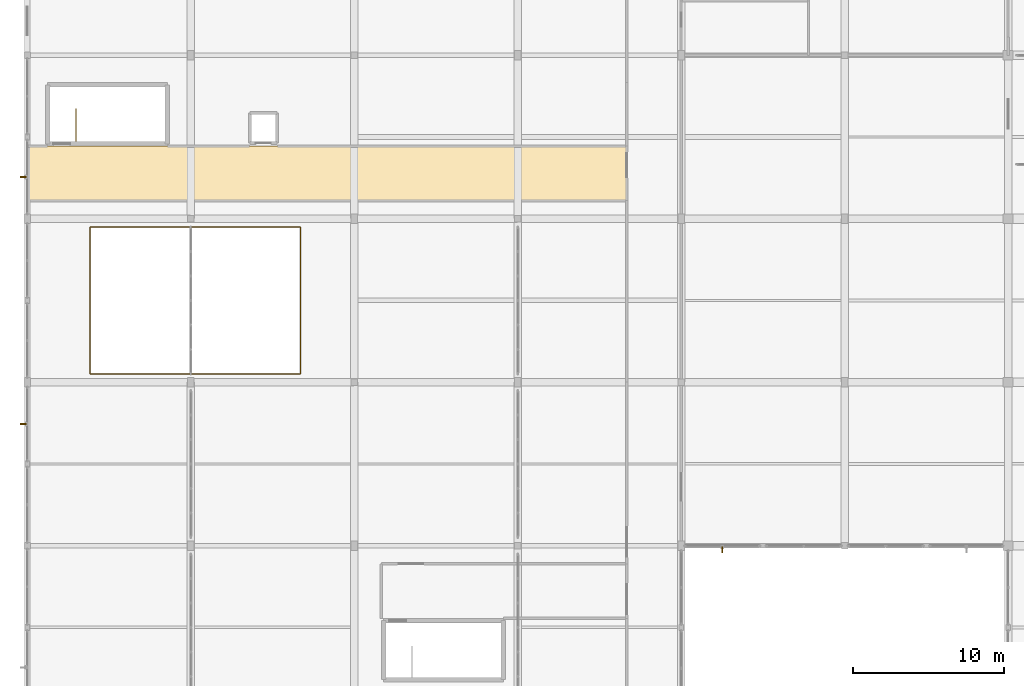
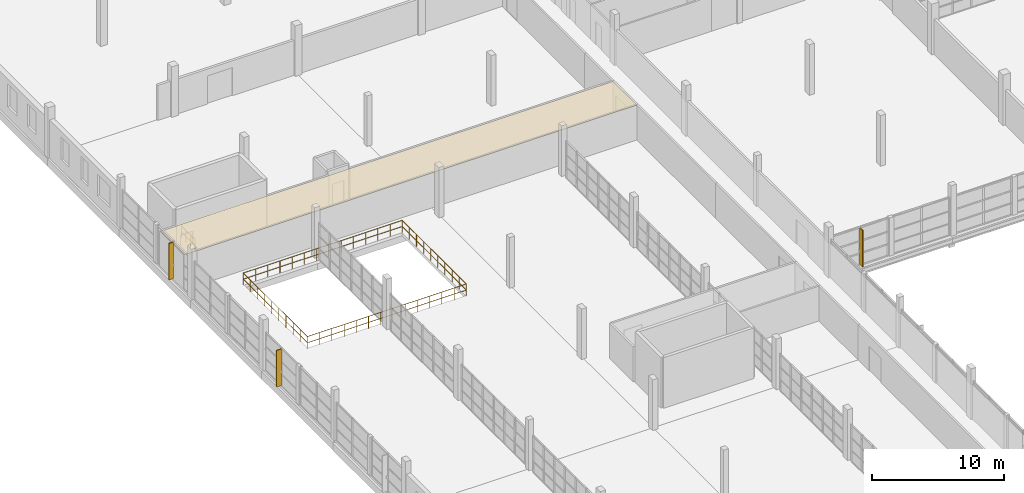
# One storey, part 132 of 142: 3 shading devices, 2 railings, 1 covering.
"""IFC4 building model written with IfcOpenShell, lengths in metres."""

from ifc_helpers import new_model, si_unit, direction, frame, origin, origin_2d, place, context, subcontext, project, spatial, polyline, rectangle, circle, outline, extrude, material, layer, layer_set, type_object, element, save


model = new_model("IFC4")

# Units and contexts
model_context = context("Model", 3, precision=1e-05, world=origin(), true_north=direction((0.0, 1.0)))
body_context = subcontext(model_context, "Body", "Model", "MODEL_VIEW")
ifc_project = project(units=[si_unit("LENGTHUNIT", "METRE"), si_unit("AREAUNIT", "SQUARE_METRE"), si_unit("VOLUMEUNIT", "CUBIC_METRE"), si_unit("PLANEANGLEUNIT", "RADIAN"), si_unit("MASSUNIT", "GRAM", prefix="KILO")], contexts=[model_context])

# Site, building, storey
site_placement = place(None, origin())
site = spatial("IfcSite", under=ifc_project, at=site_placement, CompositionType="ELEMENT")
building_placement = place(site_placement, origin())
building = spatial("IfcBuilding", under=site, at=building_placement, Name="Zwinboog Wholesale Market", CompositionType="ELEMENT")
storey_placement = place(building_placement, frame((0.0, 0.0, 5.39990234375)))
storey = spatial("IfcBuildingStorey", under=building, at=storey_placement, Name="L01", CompositionType="ELEMENT", Elevation=5.39990234375)

# Shading devices
ifc_material_1 = material(Name="Western red cedar timber", Category="wood")
shading_device_type = type_object("IfcShadingDeviceType", Name="SHD-FIN-CEDAR", PredefinedType="USERDEFINED", material=ifc_material_1)
for number, where, z_axis, x_axis, name in (
    (1, (-0.2548828125, 72.840087890625, 0.080078125), (0.0, 0.0, 1.0), (1.0, 0.0, 0.0), "FN-01 (SHD-FIN-019)"),
    (2, (-0.27001953125, 89.159912109375, 0.080078125), (0.0, 0.0, 1.0), (1.0, 0.0, 0.0), "FN-01 (SHD-FIN-020)"),
    (3, (45.909912109375, 64.530029296875, 0.080078125), (0.0, 0.0, 1.0), (0.0, 1.0, 0.0), "FN-01 (SHD-FIN-026)"),
):
    element("IfcShadingDevice", number, at=place(storey_placement, frame(where, z_axis=z_axis, x_axis=x_axis)), inside=storey, type_object=shading_device_type, Name=name, ObjectType="FIN", PredefinedType="USERDEFINED", context=body_context, shape_type="SweptSolid", body=[
        extrude(rectangle(XDim=0.419921875, YDim=0.0849609375, at=origin_2d()), origin(), (0.0, 0.0, 1.0), 3.3798828125),
    ])

# Railings
ifc_material_2 = material(Name="Steel S355", Category="steel")
railing_type = type_object("IfcRailingType", Name="RLT-INT-GUARD", PredefinedType="BALUSTRADE", material=ifc_material_2)
railing_1_placement = place(storey_placement, frame((3.219970703125, 93.639892578125, 0.0)))
element("IfcRailing", 4, at=railing_1_placement, inside=storey, type_object=railing_type, Name="GR-02 (RLG-ST-02-GTOP)", PredefinedType="BALUSTRADE", context=body_context, shape_type="SweptSolid", body=[
    extrude(circle(Radius=0.02392578125, at=origin_2d()), frame((0.0, 0.0, 1.09619140625), z_axis=(0.0, -1.0, 0.0), x_axis=(1.0, 0.0, 0.0)), (0.0, 0.0, 1.0), 2.099853515625),
    extrude(circle(Radius=0.02392578125, at=origin_2d()), frame((0.0, 0.0, 0.5361328125), z_axis=(0.0, -1.0, 0.0), x_axis=(1.0, 0.0, 0.0)), (0.0, 0.0, 1.0), 2.099853515625),
    extrude(circle(Radius=0.02099609375, at=origin_2d()), origin(), (0.0, 0.0, 1.0), 1.072021484375),
    extrude(circle(Radius=0.02099609375, at=origin_2d()), frame((0.0, -0.699951171875, 0.0)), (0.0, 0.0, 1.0), 1.072021484375),
    extrude(circle(Radius=0.02099609375, at=origin_2d()), frame((0.0, -1.39990234375, 0.0)), (0.0, 0.0, 1.0), 1.072021484375),
    extrude(circle(Radius=0.02099609375, at=origin_2d()), frame((0.0, -2.099853515625, 0.0)), (0.0, 0.0, 1.0), 1.072021484375),
])
railing_2_placement = place(storey_placement, frame((4.14990234375, 76.14990234375, 0.0)))
element("IfcRailing", 5, at=railing_2_placement, inside=storey, type_object=railing_type, Name="GR-02 (RLG-VOID-03)", PredefinedType="BALUSTRADE", context=body_context, shape_type="SweptSolid", body=[
    extrude(circle(Radius=0.02392578125, at=origin_2d()), frame((0.0, 0.0, 1.09619140625), z_axis=(1.0, 0.0, 0.0), x_axis=(0.0, 1.0, 0.0)), (0.0, 0.0, 1.0), 13.900146484375),
    extrude(circle(Radius=0.02392578125, at=origin_2d()), frame((0.0, 0.0, 0.5361328125), z_axis=(1.0, 0.0, 0.0), x_axis=(0.0, 1.0, 0.0)), (0.0, 0.0, 1.0), 13.900146484375),
    extrude(circle(Radius=0.02392578125, at=origin_2d()), frame((13.900146484375, 0.0, 1.09619140625), z_axis=(0.0, 1.0, 0.0), x_axis=(-1.0, 0.0, 0.0)), (0.0, 0.0, 1.0), 9.7001953125),
    extrude(circle(Radius=0.02392578125, at=origin_2d()), frame((13.900146484375, 0.0, 0.5361328125), z_axis=(0.0, 1.0, 0.0), x_axis=(-1.0, 0.0, 0.0)), (0.0, 0.0, 1.0), 9.7001953125),
    extrude(circle(Radius=0.02392578125, at=origin_2d()), frame((13.900146484375, 9.7001953125, 1.09619140625), z_axis=(-1.0, 0.0, 0.0), x_axis=(0.0, -1.0, 0.0)), (0.0, 0.0, 1.0), 13.900146484375),
    extrude(circle(Radius=0.02392578125, at=origin_2d()), frame((13.900146484375, 9.7001953125, 0.5361328125), z_axis=(-1.0, 0.0, 0.0), x_axis=(0.0, -1.0, 0.0)), (0.0, 0.0, 1.0), 13.900146484375),
    extrude(circle(Radius=0.02392578125, at=origin_2d()), frame((0.0, 9.7001953125, 1.09619140625), z_axis=(0.0, -1.0, 0.0), x_axis=(1.0, 0.0, 0.0)), (0.0, 0.0, 1.0), 9.7001953125),
    extrude(circle(Radius=0.02392578125, at=origin_2d()), frame((0.0, 9.7001953125, 0.5361328125), z_axis=(0.0, -1.0, 0.0), x_axis=(1.0, 0.0, 0.0)), (0.0, 0.0, 1.0), 9.7001953125),
    extrude(circle(Radius=0.02099609375, at=origin_2d()), origin(), (0.0, 0.0, 1.0), 1.072021484375),
    extrude(circle(Radius=0.02099609375, at=origin_2d()), frame((1.0693359375, 0.0, 0.0)), (0.0, 0.0, 1.0), 1.072021484375),
    extrude(circle(Radius=0.02099609375, at=origin_2d()), frame((2.138427734375, 0.0, 0.0)), (0.0, 0.0, 1.0), 1.072021484375),
    extrude(circle(Radius=0.02099609375, at=origin_2d()), frame((3.207763671875, 0.0, 0.0)), (0.0, 0.0, 1.0), 1.072021484375),
    extrude(circle(Radius=0.02099609375, at=origin_2d()), frame((4.27685546875, 0.0, 0.0)), (0.0, 0.0, 1.0), 1.072021484375),
    extrude(circle(Radius=0.02099609375, at=origin_2d()), frame((5.34619140625, 0.0, 0.0)), (0.0, 0.0, 1.0), 1.072021484375),
    extrude(circle(Radius=0.02099609375, at=origin_2d()), frame((6.41552734375, 0.0, 0.0)), (0.0, 0.0, 1.0), 1.072021484375),
    extrude(circle(Radius=0.02099609375, at=origin_2d()), frame((7.484619140625, 0.0, 0.0)), (0.0, 0.0, 1.0), 1.072021484375),
    extrude(circle(Radius=0.02099609375, at=origin_2d()), frame((8.553955078125, 0.0, 0.0)), (0.0, 0.0, 1.0), 1.072021484375),
    extrude(circle(Radius=0.02099609375, at=origin_2d()), frame((9.623291015625, 0.0, 0.0)), (0.0, 0.0, 1.0), 1.072021484375),
    extrude(circle(Radius=0.02099609375, at=origin_2d()), frame((10.6923828125, 0.0, 0.0)), (0.0, 0.0, 1.0), 1.072021484375),
    extrude(circle(Radius=0.02099609375, at=origin_2d()), frame((11.76171875, 0.0, 0.0)), (0.0, 0.0, 1.0), 1.072021484375),
    extrude(circle(Radius=0.02099609375, at=origin_2d()), frame((12.830810546875, 0.0, 0.0)), (0.0, 0.0, 1.0), 1.072021484375),
    extrude(circle(Radius=0.02099609375, at=origin_2d()), frame((13.900146484375, 0.0, 0.0)), (0.0, 0.0, 1.0), 1.072021484375),
    extrude(circle(Radius=0.02099609375, at=origin_2d()), frame((13.900146484375, 1.077880859375, 0.0)), (0.0, 0.0, 1.0), 1.072021484375),
    extrude(circle(Radius=0.02099609375, at=origin_2d()), frame((13.900146484375, 2.155517578125, 0.0)), (0.0, 0.0, 1.0), 1.072021484375),
    extrude(circle(Radius=0.02099609375, at=origin_2d()), frame((13.900146484375, 3.2333984375, 0.0)), (0.0, 0.0, 1.0), 1.072021484375),
    extrude(circle(Radius=0.02099609375, at=origin_2d()), frame((13.900146484375, 4.311279296875, 0.0)), (0.0, 0.0, 1.0), 1.072021484375),
    extrude(circle(Radius=0.02099609375, at=origin_2d()), frame((13.900146484375, 5.388916015625, 0.0)), (0.0, 0.0, 1.0), 1.072021484375),
    extrude(circle(Radius=0.02099609375, at=origin_2d()), frame((13.900146484375, 6.466796875, 0.0)), (0.0, 0.0, 1.0), 1.072021484375),
    extrude(circle(Radius=0.02099609375, at=origin_2d()), frame((13.900146484375, 7.544677734375, 0.0)), (0.0, 0.0, 1.0), 1.072021484375),
    extrude(circle(Radius=0.02099609375, at=origin_2d()), frame((13.900146484375, 8.622314453125, 0.0)), (0.0, 0.0, 1.0), 1.072021484375),
    extrude(circle(Radius=0.02099609375, at=origin_2d()), frame((13.900146484375, 9.7001953125, 0.0)), (0.0, 0.0, 1.0), 1.072021484375),
    extrude(circle(Radius=0.02099609375, at=origin_2d()), frame((12.830810546875, 9.7001953125, 0.0)), (0.0, 0.0, 1.0), 1.072021484375),
    extrude(circle(Radius=0.02099609375, at=origin_2d()), frame((11.76171875, 9.7001953125, 0.0)), (0.0, 0.0, 1.0), 1.072021484375),
    extrude(circle(Radius=0.02099609375, at=origin_2d()), frame((10.6923828125, 9.7001953125, 0.0)), (0.0, 0.0, 1.0), 1.072021484375),
    extrude(circle(Radius=0.02099609375, at=origin_2d()), frame((9.623291015625, 9.7001953125, 0.0)), (0.0, 0.0, 1.0), 1.072021484375),
    extrude(circle(Radius=0.02099609375, at=origin_2d()), frame((8.553955078125, 9.7001953125, 0.0)), (0.0, 0.0, 1.0), 1.072021484375),
    extrude(circle(Radius=0.02099609375, at=origin_2d()), frame((7.484619140625, 9.7001953125, 0.0)), (0.0, 0.0, 1.0), 1.072021484375),
    extrude(circle(Radius=0.02099609375, at=origin_2d()), frame((6.41552734375, 9.7001953125, 0.0)), (0.0, 0.0, 1.0), 1.072021484375),
    extrude(circle(Radius=0.02099609375, at=origin_2d()), frame((5.34619140625, 9.7001953125, 0.0)), (0.0, 0.0, 1.0), 1.072021484375),
    extrude(circle(Radius=0.02099609375, at=origin_2d()), frame((4.27685546875, 9.7001953125, 0.0)), (0.0, 0.0, 1.0), 1.072021484375),
    extrude(circle(Radius=0.02099609375, at=origin_2d()), frame((3.207763671875, 9.7001953125, 0.0)), (0.0, 0.0, 1.0), 1.072021484375),
    extrude(circle(Radius=0.02099609375, at=origin_2d()), frame((2.138427734375, 9.7001953125, 0.0)), (0.0, 0.0, 1.0), 1.072021484375),
    extrude(circle(Radius=0.02099609375, at=origin_2d()), frame((1.0693359375, 9.7001953125, 0.0)), (0.0, 0.0, 1.0), 1.072021484375),
    extrude(circle(Radius=0.02099609375, at=origin_2d()), frame((0.0, 9.7001953125, 0.0)), (0.0, 0.0, 1.0), 1.072021484375),
    extrude(circle(Radius=0.02099609375, at=origin_2d()), frame((0.0, 8.622314453125, 0.0)), (0.0, 0.0, 1.0), 1.072021484375),
    extrude(circle(Radius=0.02099609375, at=origin_2d()), frame((0.0, 7.544677734375, 0.0)), (0.0, 0.0, 1.0), 1.072021484375),
    extrude(circle(Radius=0.02099609375, at=origin_2d()), frame((0.0, 6.466796875, 0.0)), (0.0, 0.0, 1.0), 1.072021484375),
    extrude(circle(Radius=0.02099609375, at=origin_2d()), frame((0.0, 5.388916015625, 0.0)), (0.0, 0.0, 1.0), 1.072021484375),
    extrude(circle(Radius=0.02099609375, at=origin_2d()), frame((0.0, 4.311279296875, 0.0)), (0.0, 0.0, 1.0), 1.072021484375),
    extrude(circle(Radius=0.02099609375, at=origin_2d()), frame((0.0, 3.2333984375, 0.0)), (0.0, 0.0, 1.0), 1.072021484375),
    extrude(circle(Radius=0.02099609375, at=origin_2d()), frame((0.0, 2.155517578125, 0.0)), (0.0, 0.0, 1.0), 1.072021484375),
    extrude(circle(Radius=0.02099609375, at=origin_2d()), frame((0.0, 1.077880859375, 0.0)), (0.0, 0.0, 1.0), 1.072021484375),
])

# Covering
ifc_material_3 = material(Name="Hygienic washable acoustic gypsum ceiling")
ifc_layer = layer(ifc_material_3, 0.050048828125)
ifc_layer_set = layer_set([ifc_layer], Name="Hygienic washable acoustic gypsum ceiling")
covering_type = type_object("IfcCoveringType", Name="COV-CEIL-HYG", PredefinedType="CEILING", material=ifc_layer_set)
covering_placement = place(storey_placement, frame((0.0, 0.0, 3.130126953125)))
element("IfcCovering", 6, at=covering_placement, inside=storey, type_object=covering_type, Name="CL-02 (COV-CL-L01-021)", PredefinedType="CEILING", context=body_context, shape_type="SweptSolid", body=[
    extrude(outline(polyline([(0.0, 87.60009765625), (39.60009765625, 87.60009765625), (39.60009765625, 91.199951171875), (0.0, 91.199951171875), (0.0, 87.60009765625)])), origin(), (0.0, 0.0, 1.0), 0.050048828125),
])

save(model, "model.ifc")
